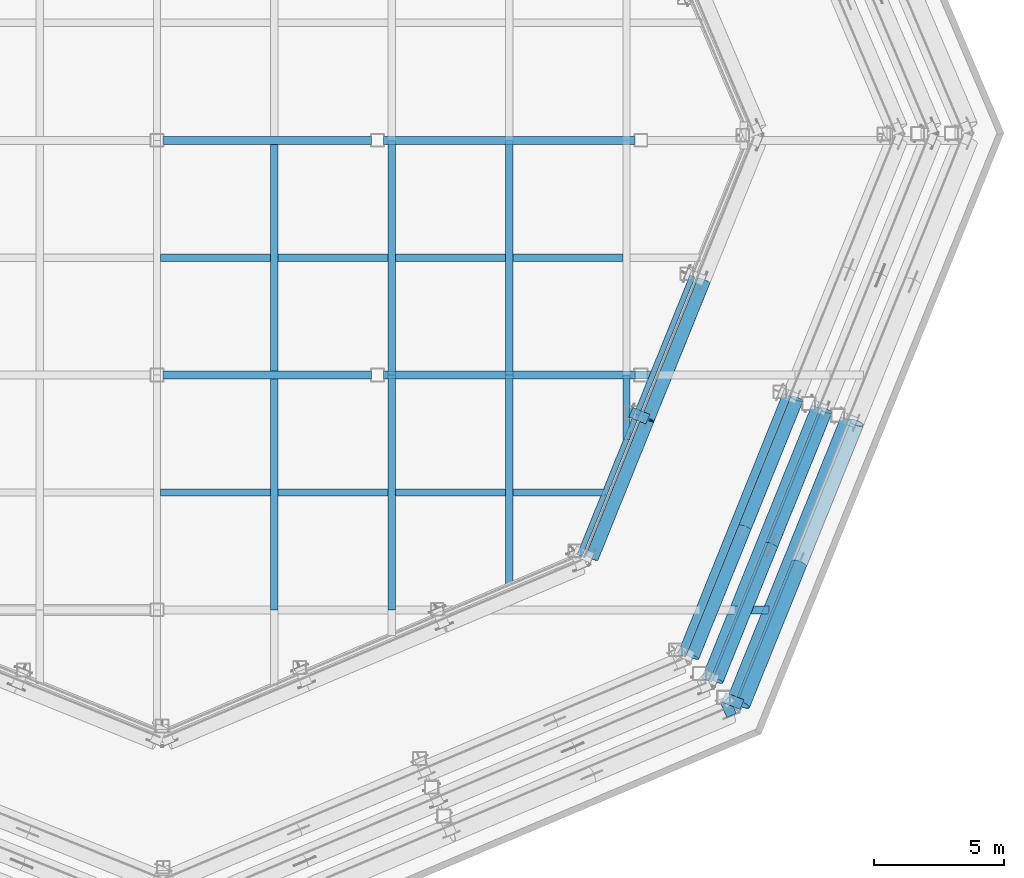
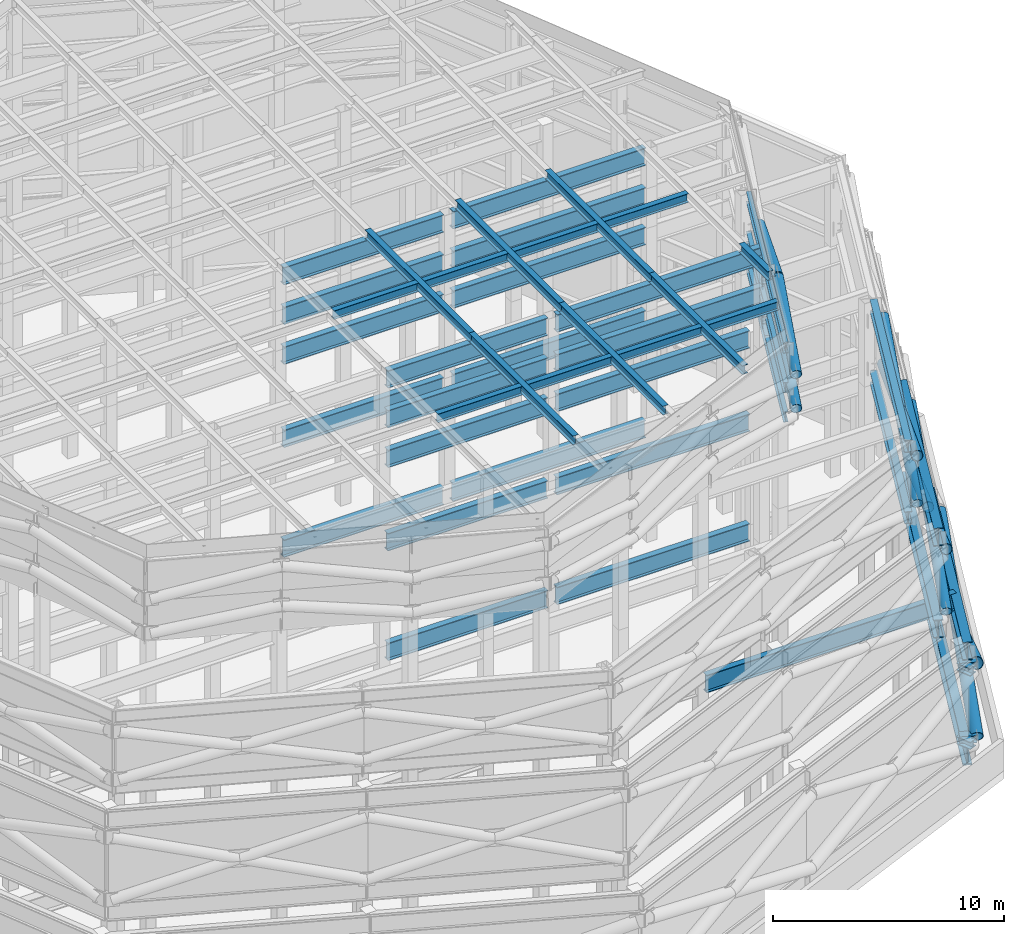
# One storey, part 7 of 19: 48 beams, 18 members.
"""IFC4 building model written with IfcOpenShell, lengths in metres."""

import ifcopenshell
import ifcopenshell.guid

model = None  # the IFC model being written
_history = None  # IfcOwnerHistory: only IFC2X3 demands one
_inside = {}  # id of a spatial element -> (the spatial element, [elements in it])
_under = {}  # id of a project, library or spatial element -> (it, [spatial elements below it])
_declared = {}  # id of a project -> (the project, [libraries it declares])
_typed = {}  # id of a type object -> (the type object, [elements of that type])
_made_of = {}  # id of a material, layer set ... -> (it, [elements and type objects made of it])


def new_model(schema):
    """Start an empty IFC model of exactly this schema.

    Asked for "IFC4X3", IfcOpenShell would pick the latest addendum, in which some entities
    have other attributes; the version numbers below select the first issue.
    IFC2X3 requires an IfcOwnerHistory on every rooted entity: one is made here for all.
    """
    global model, _history
    if schema == "IFC4X3":
        model = ifcopenshell.file(schema_version=(4, 3, 0, 0))
    else:
        model = ifcopenshell.file(schema=schema)
    _inside.clear()
    _under.clear()
    _declared.clear()
    _typed.clear()
    _made_of.clear()
    _history = None
    if model.schema == "IFC2X3":
        org = make("IfcOrganization", Name="unknown")
        user = make(
            "IfcPersonAndOrganization",
            ThePerson=make("IfcPerson", FamilyName="unknown"),
            TheOrganization=org,
        )
        app = make(
            "IfcApplication",
            ApplicationDeveloper=org,
            Version="unknown",
            ApplicationFullName="unknown",
            ApplicationIdentifier="unknown",
        )
        _history = make(
            "IfcOwnerHistory",
            OwningUser=user,
            OwningApplication=app,
            ChangeAction="ADDED",
            CreationDate=0,
        )
    return model


def make(cls, **values):
    """One entity of the class cls with the attributes given. An attribute that is None is left unset."""
    return model.create_entity(
        cls, **{name: value for name, value in values.items() if value is not None}
    )


def rooted(cls, **values):
    """An entity with a GlobalId (a new one), such as an element, a storey or a relation."""
    return make(cls, GlobalId=ifcopenshell.guid.new(), OwnerHistory=_history, **values)


def si_unit(unit_type, name, prefix=None):
    """IfcSIUnit, for example si_unit("LENGTHUNIT", "METRE", prefix="MILLI")."""
    return make("IfcSIUnit", UnitType=unit_type, Prefix=prefix, Name=name)


def assignment(units):
    """IfcUnitAssignment: the units of a project."""
    return None if units is None else make("IfcUnitAssignment", Units=units)


def point(xyz):
    """IfcCartesianPoint."""
    return None if xyz is None else make("IfcCartesianPoint", Coordinates=xyz)


def direction(xyz):
    """IfcDirection."""
    return None if xyz is None else make("IfcDirection", DirectionRatios=xyz)


def frame(location, z_axis=None, x_axis=None):
    """IfcAxis2Placement3D, a coordinate frame: its origin and axes. An axis left out is left unset."""
    return make(
        "IfcAxis2Placement3D",
        Location=point(location),
        Axis=direction(z_axis),
        RefDirection=direction(x_axis),
    )


def frame_2d(location, x_axis=None):
    """IfcAxis2Placement2D, a coordinate frame in the plane: its origin and x axis."""
    return make(
        "IfcAxis2Placement2D", Location=point(location), RefDirection=direction(x_axis)
    )


def origin():
    """The frame at (0, 0, 0) with its axes left unset."""
    return frame((0.0, 0.0, 0.0))


def origin_2d():
    """The frame at (0, 0) in the plane with its x axis left unset."""
    return frame_2d((0.0, 0.0))


def place(relative_to, where):
    """IfcLocalPlacement: puts the frame where relative to a parent placement (None: the world)."""
    return make(
        "IfcLocalPlacement", PlacementRelTo=relative_to, RelativePlacement=where
    )


def context(
    kind, dimensions, precision=None, world=None, true_north=None, identifier=None
):
    """IfcGeometricRepresentationContext, for example the 3D "Model" context."""
    return make(
        "IfcGeometricRepresentationContext",
        ContextIdentifier=identifier,
        ContextType=kind,
        CoordinateSpaceDimension=dimensions,
        Precision=precision,
        WorldCoordinateSystem=world,
        TrueNorth=true_north,
    )


def subcontext(parent, identifier, kind, view, scale=None):
    """IfcGeometricRepresentationSubContext, for example "Body" below "Model"."""
    return make(
        "IfcGeometricRepresentationSubContext",
        ContextIdentifier=identifier,
        ContextType=kind,
        ParentContext=parent,
        TargetScale=scale,
        TargetView=view,
    )


def project(units=None, contexts=None):
    """IfcProject with its units and contexts."""
    return rooted(
        "IfcProject",
        Name="project",
        RepresentationContexts=contexts,
        UnitsInContext=assignment(units),
    )


def spatial(cls, under=None, at=None, **own):
    """A site, building, storey or space (cls), placed at a placement, below another one or the project."""
    s = rooted(cls, ObjectPlacement=at, **own)
    if under is not None:
        _under.setdefault(under.id(), (under, []))[1].append(s)
    return s


def profile(cls, at=None, kind="AREA", **sizes):
    """A parametric profile (cls). Its sizes go by their IFC names, for example OverallWidth=200.0."""
    return make(cls, ProfileType=kind, Position=at, **sizes)


def hollow_circle(**sizes):
    """IfcCircleHollowProfileDef."""
    return profile("IfcCircleHollowProfileDef", **sizes)


def i_section(**sizes):
    """IfcIShapeProfileDef."""
    return profile("IfcIShapeProfileDef", **sizes)


def extrude(swept, where, along, depth):
    """IfcExtrudedAreaSolid: the profile swept, set in the frame where, extruded along a direction by depth."""
    return make(
        "IfcExtrudedAreaSolid",
        SweptArea=swept,
        Position=where,
        ExtrudedDirection=direction(along),
        Depth=depth,
    )


def shape(context_of_items, identifier, shape_type, items):
    """IfcShapeRepresentation: the items that make up one representation, for example the "Body"."""
    return make(
        "IfcShapeRepresentation",
        ContextOfItems=context_of_items,
        RepresentationIdentifier=identifier,
        RepresentationType=shape_type,
        Items=items,
    )


def material(Name=None, Category=None):
    """IfcMaterial."""
    return make("IfcMaterial", Name=Name, Category=Category)


def material_profile(
    of_material, cross_section, Name=None, Category=None, Priority=None
):
    """IfcMaterialProfile: a cross section and its material."""
    return make(
        "IfcMaterialProfile",
        Name=Name,
        Material=of_material,
        Profile=cross_section,
        Priority=Priority,
        Category=Category,
    )


def profile_set(profiles, Name=None, composite=None):
    """IfcMaterialProfileSet."""
    return make(
        "IfcMaterialProfileSet",
        Name=Name,
        MaterialProfiles=profiles,
        CompositeProfile=composite,
    )


def made_of(thing, what):
    """Note that an element or type object is made of a material, layer set ...; save() writes the relation."""
    if what is not None:
        _made_of.setdefault(what.id(), (what, []))[1].append(thing)
    return thing


def type_object(cls, material=None, **own):
    """A type object (cls), such as IfcWallType, which elements share."""
    return made_of(rooted(cls, **own), material)


def element(
    cls,
    number,
    at=None,
    inside=None,
    cuts=None,
    type_object=None,
    material=None,
    context=None,
    identifier="Body",
    shape_type=None,
    held_by="IfcProductDefinitionShape",
    body=None,
    shapes=None,
    **own,
):
    """One element of the class cls, such as IfcWall. Its Tag is "e" and its number.

    at: its placement. inside: the storey or other place that contains it. cuts: it is an
    opening in that element (IfcRelVoidsElement). A single representation is given by context,
    identifier, shape_type and body (its items); several are given by shapes. held_by: the class
    of the entity that holds the representations. save() writes the other relations.
    """
    e = rooted(cls, Tag="e%d" % number, ObjectPlacement=at, **own)
    if body is not None:
        shapes = [shape(context, identifier, shape_type, body)]
    if shapes is not None:
        e.Representation = make(held_by, Representations=shapes)
    if inside is not None:
        _inside.setdefault(inside.id(), (inside, []))[1].append(e)
    if cuts is not None:
        rooted(
            "IfcRelVoidsElement", RelatingBuildingElement=cuts, RelatedOpeningElement=e
        )
    if type_object is not None:
        _typed.setdefault(type_object.id(), (type_object, []))[1].append(e)
    return made_of(e, material)


def aggregate(whole, parts):
    """IfcRelAggregates: a whole, such as a stair, and the parts it consists of."""
    return rooted("IfcRelAggregates", RelatingObject=whole, RelatedObjects=parts)


def save(model, path):
    """Write the relations noted so far, then the file.

    IfcRelAggregates (storeys below a building ...), IfcRelContainedInSpatialStructure (elements
    in a storey), IfcRelDefinesByType, IfcRelAssociatesMaterial and IfcRelDeclares: one each for
    every whole, place, type object, material and project.
    """
    for whole, parts in _under.values():
        aggregate(whole, parts)
    for where, things in _inside.values():
        rooted(
            "IfcRelContainedInSpatialStructure",
            RelatedElements=things,
            RelatingStructure=where,
        )
    for kind, things in _typed.values():
        rooted("IfcRelDefinesByType", RelatedObjects=things, RelatingType=kind)
    for what, things in _made_of.values():
        rooted("IfcRelAssociatesMaterial", RelatedObjects=things, RelatingMaterial=what)
    for by, libraries in _declared.values():
        rooted("IfcRelDeclares", RelatingContext=by, RelatedDefinitions=libraries)
    model.write(path)


model = new_model("IFC4")

# Units and contexts
model_context = context("Model", 3, precision=1e-05, world=origin(), true_north=direction((0.0, 1.0)))
body_context = subcontext(model_context, "Body", "Model", "MODEL_VIEW")
ifc_project = project(units=[si_unit("LENGTHUNIT", "METRE"), si_unit("AREAUNIT", "SQUARE_METRE"), si_unit("VOLUMEUNIT", "CUBIC_METRE"), si_unit("PLANEANGLEUNIT", "RADIAN"), si_unit("MASSUNIT", "GRAM", prefix="KILO")], contexts=[model_context])

# Site, building, storey
site_placement = place(None, origin())
site = spatial("IfcSite", under=ifc_project, at=site_placement, CompositionType="ELEMENT")
building_placement = place(site_placement, origin())
building = spatial("IfcBuilding", under=site, at=building_placement, Name="Orlundy Tower", CompositionType="ELEMENT")
storey_placement = place(building_placement, frame((0.0, 0.0, 304.300048828125)))
storey = spatial("IfcBuildingStorey", under=building, at=storey_placement, Name="Roof", CompositionType="ELEMENT", Elevation=304.300048828125)

# Beams
ifc_material_1 = material(Name="Steel ASTM A992 Gr 50", Category="steel")
ifc_material_profile_1 = material_profile(ifc_material_1, i_section(OverallWidth=0.2802734375, OverallDepth=0.46240234375, WebThickness=0.0107421875, FlangeThickness=0.017333984375, at=origin_2d()), Name="W18X76")
ifc_profile_set_1 = profile_set([ifc_material_profile_1], Name="Steel ASTM A992 Gr 50")
beam_type_1 = type_object("IfcBeamType", Name="CROWN FRAME beam W18X76", PredefinedType="BEAM", material=ifc_profile_set_1)
for number, where, z_axis, x_axis, name in (
    (1, (4.5, -18.0, 21.131103515625), (0.0, 1.0, 0.0), (-1.0, 0.0, 0.0), "CROWN FRAME secondary beam 07B"),
    (2, (4.5, -9.0, 21.131103515625), (0.0, 1.0, 0.0), (-1.0, 0.0, 0.0), "CROWN FRAME secondary beam 07C"),
    (3, (9.0, -18.0, 21.131103515625), (0.0, 1.0, 0.0), (-1.0, 0.0, 0.0), "CROWN FRAME secondary beam 08B"),
    (4, (9.0, -9.0, 21.131103515625), (0.0, 1.0, 0.0), (-1.0, 0.0, 0.0), "CROWN FRAME secondary beam 08C"),
):
    element("IfcBeam", number, at=place(storey_placement, frame(where, z_axis=z_axis, x_axis=x_axis)), inside=storey, type_object=beam_type_1, Name=name, PredefinedType="BEAM", context=body_context, shape_type="SweptSolid", body=[
        extrude(i_section(OverallWidth=0.2802734375, OverallDepth=0.46240234375, WebThickness=0.0107421875, FlangeThickness=0.017333984375, at=origin_2d()), origin(), (0.0, 0.0, 1.0), 9.0),
    ])
beam_1_placement = place(storey_placement, frame((13.5, -17.06884765625, 21.131103515625), z_axis=(0.0, 1.0, 0.0), x_axis=(-1.0, 0.0, 0.0)))
element("IfcBeam", 5, at=beam_1_placement, inside=storey, type_object=beam_type_1, Name="CROWN FRAME secondary beam 09A", PredefinedType="BEAM", context=body_context, shape_type="SweptSolid", body=[
    extrude(i_section(OverallWidth=0.2802734375, OverallDepth=0.46240234375, WebThickness=0.0107421875, FlangeThickness=0.017333984375, at=origin_2d()), origin(), (0.0, 0.0, 1.0), 8.06884765625),
])
beam_2_placement = place(storey_placement, frame((13.5, -9.0, 21.131103515625), z_axis=(0.0, 1.0, 0.0), x_axis=(-1.0, 0.0, 0.0)))
element("IfcBeam", 6, at=beam_2_placement, inside=storey, type_object=beam_type_1, Name="CROWN FRAME secondary beam 09B", PredefinedType="BEAM", context=body_context, shape_type="SweptSolid", body=[
    extrude(i_section(OverallWidth=0.2802734375, OverallDepth=0.46240234375, WebThickness=0.0107421875, FlangeThickness=0.017333984375, at=origin_2d()), origin(), (0.0, 0.0, 1.0), 9.0),
])
beam_3_placement = place(storey_placement, frame((18.0, -11.472412109375, 21.131103515625), z_axis=(0.0, 1.0, 0.0), x_axis=(-1.0, 0.0, 0.0)))
element("IfcBeam", 7, at=beam_3_placement, inside=storey, type_object=beam_type_1, Name="CROWN FRAME secondary beam 10A", PredefinedType="BEAM", context=body_context, shape_type="SweptSolid", body=[
    extrude(i_section(OverallWidth=0.2802734375, OverallDepth=0.46240234375, WebThickness=0.0107421875, FlangeThickness=0.017333984375, at=origin_2d()), origin(), (0.0, 0.0, 1.0), 2.472412109375),
])
for number, where, z_axis, x_axis, name in (
    (8, (0.14013671875, -13.5, 21.131103515625), (1.0, 0.0, 0.0), (0.0, 1.0, 0.0), "CROWN FRAME cap cross beam 1E"),
    (9, (4.64013671875, -13.5, 21.131103515625), (1.0, 0.0, 0.0), (0.0, 1.0, 0.0), "CROWN FRAME cap cross beam 1F"),
    (10, (9.14013671875, -13.5, 21.131103515625), (1.0, 0.0, 0.0), (0.0, 1.0, 0.0), "CROWN FRAME cap cross beam 1G"),
):
    element("IfcBeam", number, at=place(storey_placement, frame(where, z_axis=z_axis, x_axis=x_axis)), inside=storey, type_object=beam_type_1, Name=name, PredefinedType="BEAM", context=body_context, shape_type="SweptSolid", body=[
        extrude(i_section(OverallWidth=0.2802734375, OverallDepth=0.46240234375, WebThickness=0.0107421875, FlangeThickness=0.017333984375, at=origin_2d()), origin(), (0.0, 0.0, 1.0), 4.2197265625),
    ])
beam_4_placement = place(storey_placement, frame((13.64013671875, -13.5, 21.131103515625), z_axis=(1.0, 0.0, 0.0), x_axis=(0.0, 1.0, 0.0)))
element("IfcBeam", 11, at=beam_4_placement, inside=storey, type_object=beam_type_1, Name="CROWN FRAME cap cross beam 1H", PredefinedType="BEAM", context=body_context, shape_type="SweptSolid", body=[
    extrude(i_section(OverallWidth=0.2802734375, OverallDepth=0.46240234375, WebThickness=0.0107421875, FlangeThickness=0.017333984375, at=origin_2d()), origin(), (0.0, 0.0, 1.0), 3.540771484375),
])
for number, where, z_axis, x_axis, name in (
    (12, (0.14013671875, -4.5, 21.131103515625), (1.0, 0.0, 0.0), (0.0, 1.0, 0.0), "CROWN FRAME cap cross beam 2F"),
    (13, (4.64013671875, -4.5, 21.131103515625), (1.0, 0.0, 0.0), (0.0, 1.0, 0.0), "CROWN FRAME cap cross beam 2G"),
    (14, (9.14013671875, -4.5, 21.131103515625), (1.0, 0.0, 0.0), (0.0, 1.0, 0.0), "CROWN FRAME cap cross beam 2H"),
    (15, (13.64013671875, -4.5, 21.131103515625), (1.0, 0.0, 0.0), (0.0, 1.0, 0.0), "CROWN FRAME cap cross beam 2I"),
):
    element("IfcBeam", number, at=place(storey_placement, frame(where, z_axis=z_axis, x_axis=x_axis)), inside=storey, type_object=beam_type_1, Name=name, PredefinedType="BEAM", context=body_context, shape_type="SweptSolid", body=[
        extrude(i_section(OverallWidth=0.2802734375, OverallDepth=0.46240234375, WebThickness=0.0107421875, FlangeThickness=0.017333984375, at=origin_2d()), origin(), (0.0, 0.0, 1.0), 4.2197265625),
    ])
ifc_material_2 = material(Name="Steel ASTM A992 Gr 50", Category="steel")
ifc_material_profile_2 = material_profile(ifc_material_2, i_section(OverallWidth=0.2138671875, OverallDepth=0.549072265625, WebThickness=0.0146484375, FlangeThickness=0.023681640625, at=origin_2d()), Name="W21X93")
ifc_profile_set_2 = profile_set([ifc_material_profile_2], Name="Steel ASTM A992 Gr 50")
beam_type_2 = type_object("IfcBeamType", Name="CROWN FRAME beam W21X93", PredefinedType="BEAM", material=ifc_profile_set_2)
beam_5_placement = place(storey_placement, frame((16.202392578125, -15.921875, 16.974365234375), z_axis=(0.374587705748, 0.927191485456, 0.0), x_axis=(-0.927191485456, 0.374587705748, 0.0)))
element("IfcBeam", 16, at=beam_5_placement, inside=storey, type_object=beam_type_2, Name="CROWN FRAME foot ring beam 4-19", PredefinedType="BEAM", context=body_context, shape_type="SweptSolid", body=[
    extrude(i_section(OverallWidth=0.2138671875, OverallDepth=0.549072265625, WebThickness=0.0146484375, FlangeThickness=0.023681640625, at=origin_2d()), origin(), (0.0, 0.0, 1.0), 5.82861328125),
])
beam_6_placement = place(storey_placement, frame((18.3857421875, -10.517578125, 16.974365234375), z_axis=(0.374591990651, 0.927189754333, 0.0), x_axis=(-0.927189754333, 0.374591990651, 0.0)))
element("IfcBeam", 17, at=beam_6_placement, inside=storey, type_object=beam_type_2, Name="CROWN FRAME foot ring beam 4-20", PredefinedType="BEAM", context=body_context, shape_type="SweptSolid", body=[
    extrude(i_section(OverallWidth=0.2138671875, OverallDepth=0.549072265625, WebThickness=0.0146484375, FlangeThickness=0.023681640625, at=origin_2d()), origin(), (0.0, 0.0, 1.0), 5.72900390625),
])
beam_7_placement = place(storey_placement, frame((16.202392578125, -15.921875, 18.525390625), z_axis=(0.374587705748, 0.927191485456, 0.0), x_axis=(-0.927191485456, 0.374587705748, 0.0)))
element("IfcBeam", 18, at=beam_7_placement, inside=storey, type_object=beam_type_2, Name="CROWN FRAME head ring beam 4-19", PredefinedType="BEAM", context=body_context, shape_type="SweptSolid", body=[
    extrude(i_section(OverallWidth=0.2138671875, OverallDepth=0.549072265625, WebThickness=0.0146484375, FlangeThickness=0.023681640625, at=origin_2d()), origin(), (0.0, 0.0, 1.0), 5.82861328125),
])
beam_8_placement = place(storey_placement, frame((18.3857421875, -10.517578125, 18.525390625), z_axis=(0.374591990651, 0.927189754333, 0.0), x_axis=(-0.927189754333, 0.374591990651, 0.0)))
element("IfcBeam", 19, at=beam_8_placement, inside=storey, type_object=beam_type_2, Name="CROWN FRAME head ring beam 4-20", PredefinedType="BEAM", context=body_context, shape_type="SweptSolid", body=[
    extrude(i_section(OverallWidth=0.2138671875, OverallDepth=0.549072265625, WebThickness=0.0146484375, FlangeThickness=0.023681640625, at=origin_2d()), origin(), (0.0, 0.0, 1.0), 5.72900390625),
])
beam_9_placement = place(storey_placement, frame((16.202392578125, -15.921875, 20.62548828125), z_axis=(0.374587705748, 0.927191485456, 0.0), x_axis=(-0.927191485456, 0.374587705748, 0.0)))
element("IfcBeam", 20, at=beam_9_placement, inside=storey, type_object=beam_type_2, Name="CROWN FRAME head ring beam 5-19", PredefinedType="BEAM", context=body_context, shape_type="SweptSolid", body=[
    extrude(i_section(OverallWidth=0.2138671875, OverallDepth=0.549072265625, WebThickness=0.0146484375, FlangeThickness=0.023681640625, at=origin_2d()), origin(), (0.0, 0.0, 1.0), 5.82861328125),
])
beam_10_placement = place(storey_placement, frame((18.3857421875, -10.517578125, 20.62548828125), z_axis=(0.374591990651, 0.927189754333, 0.0), x_axis=(-0.927189754333, 0.374591990651, 0.0)))
element("IfcBeam", 21, at=beam_10_placement, inside=storey, type_object=beam_type_2, Name="CROWN FRAME head ring beam 5-20", PredefinedType="BEAM", context=body_context, shape_type="SweptSolid", body=[
    extrude(i_section(OverallWidth=0.2138671875, OverallDepth=0.549072265625, WebThickness=0.0146484375, FlangeThickness=0.023681640625, at=origin_2d()), origin(), (0.0, 0.0, 1.0), 5.72900390625),
])
ifc_material_3 = material(Name="Steel ASTM A992 Gr 50", Category="steel")
ifc_material_profile_3 = material_profile(ifc_material_3, i_section(OverallWidth=0.3291015625, OverallDepth=0.635009765625, WebThickness=0.017822265625, FlangeThickness=0.031005859375, at=origin_2d()), Name="W24X162")
ifc_profile_set_3 = profile_set([ifc_material_profile_3], Name="Steel ASTM A992 Gr 50")
beam_type_3 = type_object("IfcBeamType", Name="CROWN FRAME beam W24X162", PredefinedType="BEAM", material=ifc_profile_set_3)
for number, where, z_axis, x_axis, name in (
    (22, (20.10693359375, -19.7587890625, 12.617431640625), (0.374607479154, 0.927183496705, 0.0), (-0.927183496705, 0.374607479154, 0.0), "CROWN FRAME foot ring beam 3-13"),
    (23, (20.10693359375, -19.7587890625, 16.382568359375), (0.374607479154, 0.927183496705, 0.0), (-0.927183496705, 0.374607479154, 0.0), "CROWN FRAME head ring beam 3-13"),
):
    element("IfcBeam", number, at=place(storey_placement, frame(where, z_axis=z_axis, x_axis=x_axis)), inside=storey, type_object=beam_type_3, Name=name, PredefinedType="BEAM", context=body_context, shape_type="SweptSolid", body=[
        extrude(i_section(OverallWidth=0.3291015625, OverallDepth=0.635009765625, WebThickness=0.017822265625, FlangeThickness=0.031005859375, at=origin_2d()), origin(), (0.0, 0.0, 1.0), 10.7880859375),
    ])
ifc_material_4 = material(Name="Steel ASTM A992 Gr 50", Category="steel")
ifc_material_profile_4 = material_profile(ifc_material_4, i_section(OverallWidth=0.3076171875, OverallDepth=0.9267578125, WebThickness=0.01953125, FlangeThickness=0.031982421875, at=origin_2d()), Name="W36X194")
ifc_profile_set_4 = profile_set([ifc_material_profile_4], Name="Steel ASTM A992 Gr 50")
beam_type_4 = type_object("IfcBeamType", Name="CROWN FRAME beam W36X194", PredefinedType="BEAM", material=ifc_profile_set_4)
beam_11_placement = place(storey_placement, frame((10.971435546875, -18.0, 6.03662109375), z_axis=(1.0, 0.0, 0.0), x_axis=(0.0, 1.0, 0.0)))
element("IfcBeam", 24, at=beam_11_placement, inside=storey, type_object=beam_type_4, Name="CROWN FRAME primary beam 1C frame 1", PredefinedType="BEAM", context=body_context, shape_type="SweptSolid", body=[
    extrude(i_section(OverallWidth=0.3076171875, OverallDepth=0.9267578125, WebThickness=0.01953125, FlangeThickness=0.031982421875, at=origin_2d()), origin(), (0.0, 0.0, 1.0), 12.485107421875),
])
beam_12_placement = place(storey_placement, frame((0.228515625, -9.0, 6.03662109375), z_axis=(1.0, 0.0, 0.0), x_axis=(0.0, 1.0, 0.0)))
element("IfcBeam", 25, at=beam_12_placement, inside=storey, type_object=beam_type_4, Name="CROWN FRAME primary beam 2D frame 1", PredefinedType="BEAM", context=body_context, shape_type="SweptSolid", body=[
    extrude(i_section(OverallWidth=0.3076171875, OverallDepth=0.9267578125, WebThickness=0.01953125, FlangeThickness=0.031982421875, at=origin_2d()), origin(), (0.0, 0.0, 1.0), 7.992919921875),
])
beam_13_placement = place(storey_placement, frame((8.6787109375, -9.0, 6.03662109375), z_axis=(1.0, 0.0, 0.0), x_axis=(0.0, 1.0, 0.0)))
element("IfcBeam", 26, at=beam_13_placement, inside=storey, type_object=beam_type_4, Name="CROWN FRAME primary beam 2E frame 1", PredefinedType="BEAM", context=body_context, shape_type="SweptSolid", body=[
    extrude(i_section(OverallWidth=0.3076171875, OverallDepth=0.9267578125, WebThickness=0.01953125, FlangeThickness=0.031982421875, at=origin_2d()), origin(), (0.0, 0.0, 1.0), 9.642578125),
])
beam_14_placement = place(storey_placement, frame((0.228515625, 0.0, 6.03662109375), z_axis=(1.0, 0.0, 0.0), x_axis=(0.0, 1.0, 0.0)))
element("IfcBeam", 27, at=beam_14_placement, inside=storey, type_object=beam_type_4, Name="CROWN FRAME primary beam 3D frame 1", PredefinedType="BEAM", context=body_context, shape_type="SweptSolid", body=[
    extrude(i_section(OverallWidth=0.3076171875, OverallDepth=0.9267578125, WebThickness=0.01953125, FlangeThickness=0.031982421875, at=origin_2d()), origin(), (0.0, 0.0, 1.0), 7.992919921875),
])
beam_15_placement = place(storey_placement, frame((8.6787109375, 0.0, 6.03662109375), z_axis=(1.0, 0.0, 0.0), x_axis=(0.0, 1.0, 0.0)))
element("IfcBeam", 28, at=beam_15_placement, inside=storey, type_object=beam_type_4, Name="CROWN FRAME primary beam 3E frame 1", PredefinedType="BEAM", context=body_context, shape_type="SweptSolid", body=[
    extrude(i_section(OverallWidth=0.3076171875, OverallDepth=0.9267578125, WebThickness=0.01953125, FlangeThickness=0.031982421875, at=origin_2d()), origin(), (0.0, 0.0, 1.0), 9.642578125),
])
beam_16_placement = place(storey_placement, frame((0.228515625, -9.0, 11.836669921875), z_axis=(1.0, 0.0, 0.0), x_axis=(0.0, 1.0, 0.0)))
element("IfcBeam", 29, at=beam_16_placement, inside=storey, type_object=beam_type_4, Name="CROWN FRAME primary beam 2D frame 2", PredefinedType="BEAM", context=body_context, shape_type="SweptSolid", body=[
    extrude(i_section(OverallWidth=0.3076171875, OverallDepth=0.9267578125, WebThickness=0.01953125, FlangeThickness=0.031982421875, at=origin_2d()), origin(), (0.0, 0.0, 1.0), 7.992919921875),
])
beam_17_placement = place(storey_placement, frame((8.6787109375, -9.0, 11.836669921875), z_axis=(1.0, 0.0, 0.0), x_axis=(0.0, 1.0, 0.0)))
element("IfcBeam", 30, at=beam_17_placement, inside=storey, type_object=beam_type_4, Name="CROWN FRAME primary beam 2E frame 2", PredefinedType="BEAM", context=body_context, shape_type="SweptSolid", body=[
    extrude(i_section(OverallWidth=0.3076171875, OverallDepth=0.9267578125, WebThickness=0.01953125, FlangeThickness=0.031982421875, at=origin_2d()), origin(), (0.0, 0.0, 1.0), 9.642578125),
])
beam_18_placement = place(storey_placement, frame((0.228515625, 0.0, 11.836669921875), z_axis=(1.0, 0.0, 0.0), x_axis=(0.0, 1.0, 0.0)))
element("IfcBeam", 31, at=beam_18_placement, inside=storey, type_object=beam_type_4, Name="CROWN FRAME primary beam 3D frame 2", PredefinedType="BEAM", context=body_context, shape_type="SweptSolid", body=[
    extrude(i_section(OverallWidth=0.3076171875, OverallDepth=0.9267578125, WebThickness=0.01953125, FlangeThickness=0.031982421875, at=origin_2d()), origin(), (0.0, 0.0, 1.0), 7.992919921875),
])
beam_19_placement = place(storey_placement, frame((8.6787109375, 0.0, 11.836669921875), z_axis=(1.0, 0.0, 0.0), x_axis=(0.0, 1.0, 0.0)))
element("IfcBeam", 32, at=beam_19_placement, inside=storey, type_object=beam_type_4, Name="CROWN FRAME primary beam 3E frame 2", PredefinedType="BEAM", context=body_context, shape_type="SweptSolid", body=[
    extrude(i_section(OverallWidth=0.3076171875, OverallDepth=0.9267578125, WebThickness=0.01953125, FlangeThickness=0.031982421875, at=origin_2d()), origin(), (0.0, 0.0, 1.0), 9.642578125),
])
beam_20_placement = place(storey_placement, frame((0.228515625, -9.0, 16.236572265625), z_axis=(1.0, 0.0, 0.0), x_axis=(0.0, 1.0, 0.0)))
element("IfcBeam", 33, at=beam_20_placement, inside=storey, type_object=beam_type_4, Name="CROWN FRAME primary beam 2D frame 3", PredefinedType="BEAM", context=body_context, shape_type="SweptSolid", body=[
    extrude(i_section(OverallWidth=0.3076171875, OverallDepth=0.9267578125, WebThickness=0.01953125, FlangeThickness=0.031982421875, at=origin_2d()), origin(), (0.0, 0.0, 1.0), 7.992919921875),
])
beam_21_placement = place(storey_placement, frame((8.6787109375, -9.0, 16.236572265625), z_axis=(1.0, 0.0, 0.0), x_axis=(0.0, 1.0, 0.0)))
element("IfcBeam", 34, at=beam_21_placement, inside=storey, type_object=beam_type_4, Name="CROWN FRAME primary beam 2E frame 3", PredefinedType="BEAM", context=body_context, shape_type="SweptSolid", body=[
    extrude(i_section(OverallWidth=0.3076171875, OverallDepth=0.9267578125, WebThickness=0.01953125, FlangeThickness=0.031982421875, at=origin_2d()), origin(), (0.0, 0.0, 1.0), 9.642578125),
])
beam_22_placement = place(storey_placement, frame((0.228515625, 0.0, 16.236572265625), z_axis=(1.0, 0.0, 0.0), x_axis=(0.0, 1.0, 0.0)))
element("IfcBeam", 35, at=beam_22_placement, inside=storey, type_object=beam_type_4, Name="CROWN FRAME primary beam 3D frame 3", PredefinedType="BEAM", context=body_context, shape_type="SweptSolid", body=[
    extrude(i_section(OverallWidth=0.3076171875, OverallDepth=0.9267578125, WebThickness=0.01953125, FlangeThickness=0.031982421875, at=origin_2d()), origin(), (0.0, 0.0, 1.0), 7.992919921875),
])
beam_23_placement = place(storey_placement, frame((8.6787109375, 0.0, 16.236572265625), z_axis=(1.0, 0.0, 0.0), x_axis=(0.0, 1.0, 0.0)))
element("IfcBeam", 36, at=beam_23_placement, inside=storey, type_object=beam_type_4, Name="CROWN FRAME primary beam 3E frame 3", PredefinedType="BEAM", context=body_context, shape_type="SweptSolid", body=[
    extrude(i_section(OverallWidth=0.3076171875, OverallDepth=0.9267578125, WebThickness=0.01953125, FlangeThickness=0.031982421875, at=origin_2d()), origin(), (0.0, 0.0, 1.0), 9.642578125),
])
beam_24_placement = place(storey_placement, frame((0.228515625, -9.0, 18.336669921875), z_axis=(1.0, 0.0, 0.0), x_axis=(0.0, 1.0, 0.0)))
element("IfcBeam", 37, at=beam_24_placement, inside=storey, type_object=beam_type_4, Name="CROWN FRAME primary beam 2C frame 4", PredefinedType="BEAM", context=body_context, shape_type="SweptSolid", body=[
    extrude(i_section(OverallWidth=0.3076171875, OverallDepth=0.9267578125, WebThickness=0.01953125, FlangeThickness=0.031982421875, at=origin_2d()), origin(), (0.0, 0.0, 1.0), 7.992919921875),
])
beam_25_placement = place(storey_placement, frame((8.6787109375, -9.0, 18.336669921875), z_axis=(1.0, 0.0, 0.0), x_axis=(0.0, 1.0, 0.0)))
element("IfcBeam", 38, at=beam_25_placement, inside=storey, type_object=beam_type_4, Name="CROWN FRAME primary beam 2D frame 4", PredefinedType="BEAM", context=body_context, shape_type="SweptSolid", body=[
    extrude(i_section(OverallWidth=0.3076171875, OverallDepth=0.9267578125, WebThickness=0.01953125, FlangeThickness=0.031982421875, at=origin_2d()), origin(), (0.0, 0.0, 1.0), 10.320068359375),
])
beam_26_placement = place(storey_placement, frame((0.228515625, 0.0, 18.336669921875), z_axis=(1.0, 0.0, 0.0), x_axis=(0.0, 1.0, 0.0)))
element("IfcBeam", 39, at=beam_26_placement, inside=storey, type_object=beam_type_4, Name="CROWN FRAME primary beam 3D frame 4", PredefinedType="BEAM", context=body_context, shape_type="SweptSolid", body=[
    extrude(i_section(OverallWidth=0.3076171875, OverallDepth=0.9267578125, WebThickness=0.01953125, FlangeThickness=0.031982421875, at=origin_2d()), origin(), (0.0, 0.0, 1.0), 7.992919921875),
])
beam_27_placement = place(storey_placement, frame((8.6787109375, 0.0, 18.336669921875), z_axis=(1.0, 0.0, 0.0), x_axis=(0.0, 1.0, 0.0)))
element("IfcBeam", 40, at=beam_27_placement, inside=storey, type_object=beam_type_4, Name="CROWN FRAME primary beam 3E frame 4", PredefinedType="BEAM", context=body_context, shape_type="SweptSolid", body=[
    extrude(i_section(OverallWidth=0.3076171875, OverallDepth=0.9267578125, WebThickness=0.01953125, FlangeThickness=0.031982421875, at=origin_2d()), origin(), (0.0, 0.0, 1.0), 9.642578125),
])
beam_28_placement = place(storey_placement, frame((0.228515625, -9.0, 20.4365234375), z_axis=(1.0, 0.0, 0.0), x_axis=(0.0, 1.0, 0.0)))
element("IfcBeam", 41, at=beam_28_placement, inside=storey, type_object=beam_type_4, Name="CROWN FRAME primary beam 2C frame 5", PredefinedType="BEAM", context=body_context, shape_type="SweptSolid", body=[
    extrude(i_section(OverallWidth=0.3076171875, OverallDepth=0.9267578125, WebThickness=0.01953125, FlangeThickness=0.031982421875, at=origin_2d()), origin(), (0.0, 0.0, 1.0), 7.992919921875),
])
beam_29_placement = place(storey_placement, frame((8.6787109375, -9.0, 20.4365234375), z_axis=(1.0, 0.0, 0.0), x_axis=(0.0, 1.0, 0.0)))
element("IfcBeam", 42, at=beam_29_placement, inside=storey, type_object=beam_type_4, Name="CROWN FRAME primary beam 2D frame 5", PredefinedType="BEAM", context=body_context, shape_type="SweptSolid", body=[
    extrude(i_section(OverallWidth=0.3076171875, OverallDepth=0.9267578125, WebThickness=0.01953125, FlangeThickness=0.031982421875, at=origin_2d()), origin(), (0.0, 0.0, 1.0), 10.320068359375),
])
beam_30_placement = place(storey_placement, frame((0.228515625, 0.0, 20.4365234375), z_axis=(1.0, 0.0, 0.0), x_axis=(0.0, 1.0, 0.0)))
element("IfcBeam", 43, at=beam_30_placement, inside=storey, type_object=beam_type_4, Name="CROWN FRAME primary beam 3D frame 5", PredefinedType="BEAM", context=body_context, shape_type="SweptSolid", body=[
    extrude(i_section(OverallWidth=0.3076171875, OverallDepth=0.9267578125, WebThickness=0.01953125, FlangeThickness=0.031982421875, at=origin_2d()), origin(), (0.0, 0.0, 1.0), 7.992919921875),
])
beam_31_placement = place(storey_placement, frame((8.6787109375, 0.0, 20.4365234375), z_axis=(1.0, 0.0, 0.0), x_axis=(0.0, 1.0, 0.0)))
element("IfcBeam", 44, at=beam_31_placement, inside=storey, type_object=beam_type_4, Name="CROWN FRAME primary beam 3E frame 5", PredefinedType="BEAM", context=body_context, shape_type="SweptSolid", body=[
    extrude(i_section(OverallWidth=0.3076171875, OverallDepth=0.9267578125, WebThickness=0.01953125, FlangeThickness=0.031982421875, at=origin_2d()), origin(), (0.0, 0.0, 1.0), 9.642578125),
])
ifc_material_5 = material(Name="Steel ASTM A992 Gr 50", Category="steel")
ifc_material_profile_5 = material_profile(ifc_material_5, i_section(OverallWidth=0.423095703125, OverallDepth=0.947265625, WebThickness=0.02392578125, FlangeThickness=0.042724609375, at=origin_2d()), Name="W36X302")
ifc_profile_set_5 = profile_set([ifc_material_profile_5], Name="Steel ASTM A992 Gr 50")
beam_type_5 = type_object("IfcBeamType", Name="CROWN FRAME beam W36X302", PredefinedType="BEAM", material=ifc_profile_set_5)
beam_32_placement = place(storey_placement, frame((21.99609375, -21.615234375, 6.0263671875), z_axis=(0.374605679026, 0.927184224004, 0.0), x_axis=(-0.927184224004, 0.374605679026, 0.0)))
element("IfcBeam", 45, at=beam_32_placement, inside=storey, type_object=beam_type_5, Name="CROWN FRAME head ring beam 1-13", PredefinedType="BEAM", context=body_context, shape_type="SweptSolid", body=[
    extrude(i_section(OverallWidth=0.423095703125, OverallDepth=0.947265625, WebThickness=0.02392578125, FlangeThickness=0.042724609375, at=origin_2d()), origin(), (0.0, 0.0, 1.0), 11.801513671875),
])
for number, where, z_axis, x_axis, name in (
    (46, (21.069580078125, -20.704833984375, 6.9736328125), (0.374594452553, 0.927188759701, 0.0), (-0.927188759701, 0.374594452553, 0.0), "CROWN FRAME foot ring beam 2-13"),
    (47, (21.069580078125, -20.704833984375, 11.826416015625), (0.374594452553, 0.927188759701, 0.0), (-0.927188759701, 0.374594452553, 0.0), "CROWN FRAME head ring beam 2-13"),
):
    element("IfcBeam", number, at=place(storey_placement, frame(where, z_axis=z_axis, x_axis=x_axis)), inside=storey, type_object=beam_type_5, Name=name, PredefinedType="BEAM", context=body_context, shape_type="SweptSolid", body=[
        extrude(i_section(OverallWidth=0.423095703125, OverallDepth=0.947265625, WebThickness=0.02392578125, FlangeThickness=0.042724609375, at=origin_2d()), origin(), (0.0, 0.0, 1.0), 11.304443359375),
    ])
ifc_material_6 = material(Name="Steel ASTM A992 Gr 50", Category="steel")
ifc_material_profile_6 = material_profile(ifc_material_6, i_section(OverallWidth=0.41650390625, OverallDepth=1.068115234375, WebThickness=0.0390625, FlangeThickness=0.070068359375, at=origin_2d()), Name="W40X503")
ifc_profile_set_6 = profile_set([ifc_material_profile_6], Name="Steel ASTM A992 Gr 50")
beam_type_6 = type_object("IfcBeamType", Name="CROWN FRAME beam W40X503", PredefinedType="BEAM", material=ifc_profile_set_6)
beam_33_placement = place(storey_placement, frame((21.99365234375, -21.61279296875, 0.533935546875), z_axis=(0.374606036981, 0.927184079381, 0.0), x_axis=(-0.927184079381, 0.374606036981, 0.0)))
element("IfcBeam", 48, at=beam_33_placement, inside=storey, type_object=beam_type_6, Name="CROWN FRAME foot ring beam 1-13", PredefinedType="BEAM", context=body_context, shape_type="SweptSolid", body=[
    extrude(i_section(OverallWidth=0.41650390625, OverallDepth=1.068115234375, WebThickness=0.0390625, FlangeThickness=0.070068359375, at=origin_2d()), origin(), (0.0, 0.0, 1.0), 11.800048828125),
])

# Members
ifc_material_7 = material(Name="Steel ASTM A500 Gr C", Category="steel")
ifc_material_profile_7 = material_profile(ifc_material_7, hollow_circle(Radius=0.25390625, WallThickness=0.01171875, at=origin_2d()), Name="HSS20.000X0.500")
ifc_profile_set_7 = profile_set([ifc_material_profile_7], Name="Steel ASTM A500 Gr C")
member_type_1 = type_object("IfcMemberType", Name="CROWN FRAME diagonal HSS20.000X0.500", PredefinedType="BRACE", material=ifc_profile_set_7)
member_1_placement = place(storey_placement, frame((21.459228515625, -20.7080078125, 7.7470703125), z_axis=(0.359180206537, 0.889016102704, 0.283971738673), x_axis=(-0.927185888231, 0.374601559882, 0.0)))
element("IfcMember", 49, at=member_1_placement, inside=storey, type_object=member_type_1, Name="CROWN FRAME brace 2-13a", PredefinedType="BRACE", context=body_context, shape_type="SweptSolid", body=[
    extrude(hollow_circle(Radius=0.25390625, WallThickness=0.01171875, at=origin_2d()), origin(), (0.0, 0.0, 1.0), 11.640869140625),
])
member_2_placement = place(storey_placement, frame((25.640380859375, -10.359130859375, 7.7470703125), z_axis=(-0.359173509674, -0.889020499537, 0.283966444061), x_axis=(0.927188957532, -0.374593962885, 0.0)))
element("IfcMember", 50, at=member_2_placement, inside=storey, type_object=member_type_1, Name="CROWN FRAME brace 2-13ba", PredefinedType="BRACE", context=body_context, shape_type="SweptSolid", body=[
    extrude(hollow_circle(Radius=0.25390625, WallThickness=0.01171875, at=origin_2d()), origin(), (0.0, 0.0, 1.0), 5.820556640625),
])
member_3_placement = place(storey_placement, frame((23.5498046875, -15.53369140625, 9.39990234375), z_axis=(-0.359186903617, -0.889011705625, 0.283977033457), x_axis=(0.927182818742, -0.374609157162, 0.0)))
element("IfcMember", 51, at=member_3_placement, inside=storey, type_object=member_type_1, Name="CROWN FRAME brace 2-13bb", PredefinedType="BRACE", context=body_context, shape_type="SweptSolid", body=[
    extrude(hollow_circle(Radius=0.25390625, WallThickness=0.01171875, at=origin_2d()), origin(), (0.0, 0.0, 1.0), 5.8203125),
])
member_4_placement = place(storey_placement, frame((20.532958984375, -19.797607421875, 13.23486328125), z_axis=(0.364480839965, 0.902147436253, 0.230832667882), x_axis=(-0.927187561242, 0.374597418943, 0.0)))
element("IfcMember", 52, at=member_4_placement, inside=storey, type_object=member_type_1, Name="CROWN FRAME brace 3-13a", PredefinedType="BRACE", context=body_context, shape_type="SweptSolid", body=[
    extrude(hollow_circle(Radius=0.25390625, WallThickness=0.01171875, at=origin_2d()), origin(), (0.0, 0.0, 1.0), 10.96044921875),
])
for number, where, z_axis, x_axis, name in (
    (53, (24.52783203125, -9.90966796875, 13.23486328125), (-0.364505605659, -0.902131326643, 0.23085652023), (0.927176397047, -0.374625050896, 0.0), "CROWN FRAME brace 3-13ba"),
    (54, (22.5302734375, -14.853515625, 14.5), (-0.364456074083, -0.902163544342, 0.230808815527), (0.92719872433, -0.374569787356, 0.0), "CROWN FRAME brace 3-13bb"),
):
    element("IfcMember", number, at=place(storey_placement, frame(where, z_axis=z_axis, x_axis=x_axis)), inside=storey, type_object=member_type_1, Name=name, PredefinedType="BRACE", context=body_context, shape_type="SweptSolid", body=[
        extrude(hollow_circle(Radius=0.25390625, WallThickness=0.01171875, at=origin_2d()), origin(), (0.0, 0.0, 1.0), 5.480224609375),
    ])
for number, where, z_axis, x_axis, name in (
    (55, (16.6728515625, -16.00439453125, 17.299072265625), (0.370034982456, 0.915910251797, 0.15550730662), (-0.927189754333, 0.374591990651, 0.0), "CROWN FRAME brace 4-19a"),
    (56, (20.96484375, -5.380859375, 17.299072265625), (-0.370034982456, -0.915910251797, 0.15550730662), (0.927189754333, -0.374591990651, 0.0), "CROWN FRAME brace 4-20b"),
):
    element("IfcMember", number, at=place(storey_placement, frame(where, z_axis=z_axis, x_axis=x_axis)), inside=storey, type_object=member_type_1, Name=name, PredefinedType="BRACE", context=body_context, shape_type="SweptSolid", body=[
        extrude(hollow_circle(Radius=0.25390625, WallThickness=0.01171875, at=origin_2d()), origin(), (0.0, 0.0, 1.0), 5.799560546875),
    ])
for number, where, z_axis, x_axis, name in (
    (57, (16.6728515625, -16.00439453125, 19.099853515625), (0.366623270569, 0.90746558564, 0.20516722047), (-0.927189754333, 0.374591990651, 0.0), "CROWN FRAME brace 5-19a"),
    (58, (20.96484375, -5.380859375, 19.099853515625), (-0.366623270569, -0.90746558564, 0.20516722047), (0.927189754333, -0.374591990651, 0.0), "CROWN FRAME brace 5-20b"),
):
    element("IfcMember", number, at=place(storey_placement, frame(where, z_axis=z_axis, x_axis=x_axis)), inside=storey, type_object=member_type_1, Name=name, PredefinedType="BRACE", context=body_context, shape_type="SweptSolid", body=[
        extrude(hollow_circle(Radius=0.25390625, WallThickness=0.01171875, at=origin_2d()), origin(), (0.0, 0.0, 1.0), 5.853515625),
    ])
ifc_material_8 = material(Name="Steel ASTM A1085 Gr A", Category="steel")
ifc_material_profile_8 = material_profile(ifc_material_8, hollow_circle(Radius=0.3046875, WallThickness=0.023681640625, at=origin_2d()), Name="HSS24.000X1.000")
ifc_profile_set_8 = profile_set([ifc_material_profile_8], Name="Steel ASTM A1085 Gr A")
member_type_2 = type_object("IfcMemberType", Name="CROWN FRAME diagonal HSS24.000X1.000", PredefinedType="BRACE", material=ifc_profile_set_8)
member_5_placement = place(storey_placement, frame((22.432861328125, -21.63720703125, 1.3681640625), z_axis=(0.355392717269, 0.879640684096, 0.316114351771), x_axis=(-0.927185754047, 0.374601892002, 0.0)))
element("IfcMember", 59, at=member_5_placement, inside=storey, type_object=member_type_2, Name="CROWN FRAME brace 1-13a", PredefinedType="BRACE", context=body_context, shape_type="SweptSolid", body=[
    extrude(hollow_circle(Radius=0.3046875, WallThickness=0.023681640625, at=origin_2d()), origin(), (0.0, 0.0, 1.0), 12.288330078125),
])
member_6_placement = place(storey_placement, frame((24.616455078125, -16.232666015625, 3.310302734375), z_axis=(-0.355396696155, -0.879630664444, 0.316137758789), x_axis=(0.92718281531, -0.374609165656, 0.0)))
element("IfcMember", 60, at=member_6_placement, inside=storey, type_object=member_type_2, Name="CROWN FRAME brace 1-13bb", PredefinedType="BRACE", context=body_context, shape_type="SweptSolid", body=[
    extrude(hollow_circle(Radius=0.3046875, WallThickness=0.023681640625, at=origin_2d()), origin(), (0.0, 0.0, 1.0), 6.14404296875),
])
ifc_material_9 = material(Name="Steel ASTM A992 Gr 50", Category="steel")
ifc_material_profile_9 = material_profile(ifc_material_9, i_section(OverallWidth=0.39892578125, OverallDepth=0.393310546875, WebThickness=0.022705078125, FlangeThickness=0.03662109375, at=origin_2d()), Name="W14X193")
ifc_profile_set_9 = profile_set([ifc_material_profile_9], Name="Steel ASTM A992 Gr 50")
member_type_3 = type_object("IfcMemberType", Name="CROWN FRAME strut W14X193", PredefinedType="STRUT", material=ifc_profile_set_9)
for number, where, z_axis, x_axis, name in (
    (61, (21.729248046875, -21.35302734375, 5.252685546875), (0.390888564217, -0.920438010061, 0.0), (0.920438010061, 0.390888564217, 0.0), "CROWN FRAME brace connector 1-12A1"),
    (62, (21.729248046875, -21.35302734375, 1.3681640625), (0.390888564217, -0.920438010061, 0.0), (0.920438010061, 0.390888564217, 0.0), "CROWN FRAME brace connector 1-12B0"),
    (63, (21.729248046875, -21.35302734375, 1.3681640625), (0.927228946856, -0.374494966738, 0.0), (0.374494966738, 0.927228946856, 0.0), "CROWN FRAME brace connector 1-13A0"),
    (64, (21.729248046875, -21.35302734375, 5.252685546875), (0.927228946856, -0.374494966738, 0.0), (0.374494966738, 0.927228946856, 0.0), "CROWN FRAME brace connector 1-13B1"),
):
    element("IfcMember", number, at=place(storey_placement, frame(where, z_axis=z_axis, x_axis=x_axis)), inside=storey, type_object=member_type_3, Name=name, PredefinedType="STRUT", context=body_context, shape_type="SweptSolid", body=[
        extrude(i_section(OverallWidth=0.39892578125, OverallDepth=0.393310546875, WebThickness=0.022705078125, FlangeThickness=0.03662109375, at=origin_2d()), origin(), (0.0, 0.0, 1.0), 0.7587890625),
    ])
for number, where, z_axis, x_axis, name in (
    (65, (18.162353515625, -10.42724609375, 18.200927734375), (0.927115163542, -0.374776564809, 0.0), (0.374776564809, 0.927115163542, 0.0), "CROWN FRAME brace connector 4-19A1"),
    (66, (18.162353515625, -10.42724609375, 20.30078125), (0.927115163542, -0.374776564809, 0.0), (0.374776564809, 0.927115163542, 0.0), "CROWN FRAME brace connector 5-19A1"),
):
    element("IfcMember", number, at=place(storey_placement, frame(where, z_axis=z_axis, x_axis=x_axis)), inside=storey, type_object=member_type_3, Name=name, PredefinedType="STRUT", context=body_context, shape_type="SweptSolid", body=[
        extrude(i_section(OverallWidth=0.39892578125, OverallDepth=0.393310546875, WebThickness=0.022705078125, FlangeThickness=0.03662109375, at=origin_2d()), origin(), (0.0, 0.0, 1.0), 0.7080078125),
    ])

save(model, "model.ifc")
